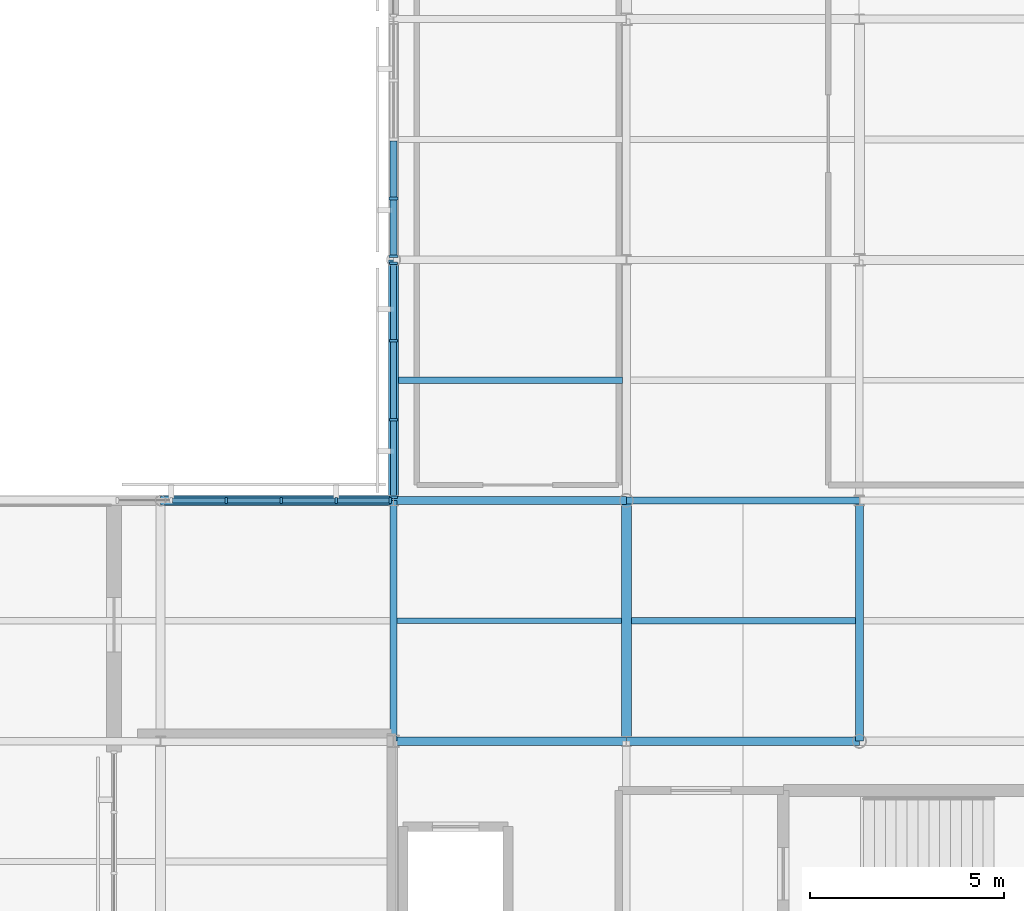
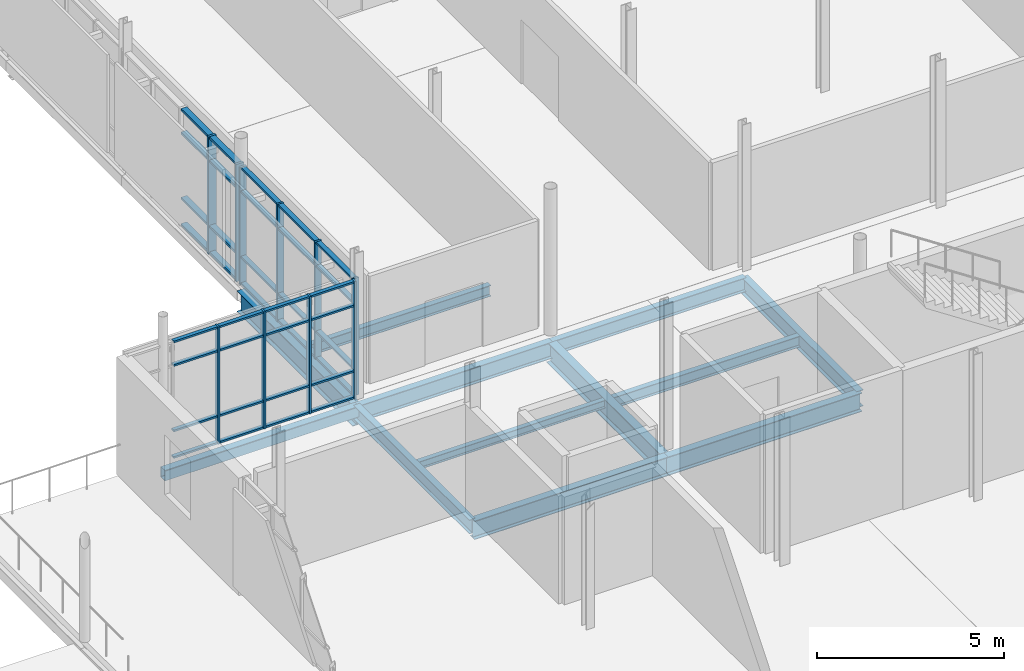
# One storey, part 35 of 84: 46 members, 12 beams, 3 elements without a shape of their own.
"""IFC4 building model written with IfcOpenShell, lengths in metres."""

from ifc_helpers import new_model, si_unit, direction, frame, origin, origin_2d, place, context, subcontext, project, spatial, rectangle, hollow_rectangle, i_section, extrude, material, layer, layer_set, material_profile, profile_set, type_object, element, aggregate, save


model = new_model("IFC4")

# Units and contexts
model_context = context("Model", 3, precision=1e-05, world=origin(), true_north=direction((0.0, 1.0)))
body_context = subcontext(model_context, "Body", "Model", "MODEL_VIEW")
ifc_project = project(units=[si_unit("LENGTHUNIT", "METRE"), si_unit("AREAUNIT", "SQUARE_METRE"), si_unit("VOLUMEUNIT", "CUBIC_METRE"), si_unit("PLANEANGLEUNIT", "RADIAN"), si_unit("MASSUNIT", "GRAM", prefix="KILO")], contexts=[model_context])

# Site, building, storey
site_placement = place(None, origin())
site = spatial("IfcSite", under=ifc_project, at=site_placement, CompositionType="ELEMENT")
building_placement = place(site_placement, origin())
building = spatial("IfcBuilding", under=site, at=building_placement, Name="Mirzam Square Science Centre", CompositionType="ELEMENT")
storey_placement = place(building_placement, frame((0.0, 0.0, 10.800048828125)))
storey = spatial("IfcBuildingStorey", under=building, at=storey_placement, Name="L02", CompositionType="ELEMENT", Elevation=10.800048828125)

# Beams
ifc_material_1 = material(Name="Steel S355", Category="steel")
ifc_material_profile_1 = material_profile(ifc_material_1, i_section(OverallWidth=0.19140625, OverallDepth=0.4599609375, WebThickness=0.010009765625, FlangeThickness=0.01611328125, FilletRadius=0.01025390625, at=origin_2d()), Name="457x191x82UB")
ifc_profile_set_1 = profile_set([ifc_material_profile_1], Name="Steel S355")
beam_type_1 = type_object("IfcBeamType", Name="BM-UB457", PredefinedType="BEAM", material=ifc_profile_set_1)
beam_1_placement = place(storey_placement, frame((120.0, 86.800048828125, -0.47998046875), z_axis=(1.0, 0.0, 0.0), x_axis=(0.0, 1.0, 0.0)))
element("IfcBeam", 1, at=beam_1_placement, inside=storey, type_object=beam_type_1, Name="L02 girder X21-15", PredefinedType="BEAM", context=body_context, shape_type="SweptSolid", body=[
    extrude(i_section(OverallWidth=0.19140625, OverallDepth=0.4599609375, WebThickness=0.010009765625, FlangeThickness=0.01611328125, FilletRadius=0.01025390625, at=origin_2d()), origin(), (0.0, 0.0, 1.0), 6.0),
])
beam_2_placement = place(storey_placement, frame((114.0, 80.60009765625, -0.47998046875), z_axis=(0.0, 1.0, 0.0), x_axis=(-1.0, 0.0, 0.0)))
element("IfcBeam", 2, at=beam_2_placement, inside=storey, type_object=beam_type_1, Name="L02 girder Y20-14", PredefinedType="BEAM", context=body_context, shape_type="SweptSolid", body=[
    extrude(i_section(OverallWidth=0.19140625, OverallDepth=0.4599609375, WebThickness=0.010009765625, FlangeThickness=0.01611328125, FilletRadius=0.01025390625, at=origin_2d()), origin(), (0.0, 0.0, 1.0), 6.199951171875),
])
ifc_material_profile_2 = material_profile(ifc_material_1, i_section(OverallWidth=0.2099609375, OverallDepth=0.53662109375, WebThickness=0.0107421875, FlangeThickness=0.017333984375, FilletRadius=0.0126953125, at=origin_2d()), Name="533x210x101UB")
ifc_profile_set_2 = profile_set([ifc_material_profile_2], Name="Steel S355")
beam_type_2 = type_object("IfcBeamType", Name="BM-UB533", PredefinedType="BEAM", material=ifc_profile_set_2)
beam_3_placement = place(storey_placement, frame((114.0, 86.800048828125, -0.518310546875), z_axis=(1.0, 0.0, 0.0), x_axis=(0.0, 1.0, 0.0)))
element("IfcBeam", 3, at=beam_3_placement, inside=storey, type_object=beam_type_2, Name="L02 girder X20-15", PredefinedType="BEAM", context=body_context, shape_type="SweptSolid", body=[
    extrude(i_section(OverallWidth=0.2099609375, OverallDepth=0.53662109375, WebThickness=0.0107421875, FlangeThickness=0.017333984375, FilletRadius=0.0126953125, at=origin_2d()), origin(), (0.0, 0.0, 1.0), 6.0),
])
beam_4_placement = place(storey_placement, frame((126.0, 80.60009765625, -0.518310546875), z_axis=(0.0, 1.0, 0.0), x_axis=(-1.0, 0.0, 0.0)))
element("IfcBeam", 4, at=beam_4_placement, inside=storey, type_object=beam_type_2, Name="L02 girder Y22-14", PredefinedType="BEAM", context=body_context, shape_type="SweptSolid", body=[
    extrude(i_section(OverallWidth=0.2099609375, OverallDepth=0.53662109375, WebThickness=0.0107421875, FlangeThickness=0.017333984375, FilletRadius=0.0126953125, at=origin_2d()), origin(), (0.0, 0.0, 1.0), 6.199951171875),
])
ifc_material_profile_3 = material_profile(ifc_material_1, i_section(OverallWidth=0.22900390625, OverallDepth=0.6123046875, WebThickness=0.011962890625, FlangeThickness=0.01953125, FilletRadius=0.0126953125, at=origin_2d()), Name="610x229x125UB")
ifc_profile_set_3 = profile_set([ifc_material_profile_3], Name="Steel S355")
beam_type_3 = type_object("IfcBeamType", Name="BM-UB610", PredefinedType="BEAM", material=ifc_profile_set_3)
for number, where, z_axis, x_axis, name in (
    (5, (114.0, 80.60009765625, -0.55615234375), (1.0, 0.0, 0.0), (0.0, 1.0, 0.0), "L02 girder X20-14"),
    (6, (120.0, 80.60009765625, -0.55615234375), (1.0, 0.0, 0.0), (0.0, 1.0, 0.0), "L02 girder X21-14"),
):
    element("IfcBeam", number, at=place(storey_placement, frame(where, z_axis=z_axis, x_axis=x_axis)), inside=storey, type_object=beam_type_3, Name=name, PredefinedType="BEAM", context=body_context, shape_type="SweptSolid", body=[
        extrude(i_section(OverallWidth=0.22900390625, OverallDepth=0.6123046875, WebThickness=0.011962890625, FlangeThickness=0.01953125, FilletRadius=0.0126953125, at=origin_2d()), origin(), (0.0, 0.0, 1.0), 6.0),
    ])
ifc_material_profile_4 = material_profile(ifc_material_1, i_section(OverallWidth=0.25439453125, OverallDepth=0.6875, WebThickness=0.01318359375, FlangeThickness=0.02099609375, FilletRadius=0.01513671875, at=origin_2d()), Name="686x254x152UB")
ifc_profile_set_4 = profile_set([ifc_material_profile_4], Name="Steel S355")
beam_type_4 = type_object("IfcBeamType", Name="BM-UB686", PredefinedType="BEAM", material=ifc_profile_set_4)
for number, where, z_axis, x_axis, name in (
    (7, (114.0, 86.800048828125, -0.59375), (0.0, 1.0, 0.0), (-1.0, 0.0, 0.0), "L02 girder Y20-15"),
    (8, (120.0, 80.60009765625, -0.59375), (0.0, 1.0, 0.0), (-1.0, 0.0, 0.0), "L02 girder Y21-14"),
):
    element("IfcBeam", number, at=place(storey_placement, frame(where, z_axis=z_axis, x_axis=x_axis)), inside=storey, type_object=beam_type_4, Name=name, PredefinedType="BEAM", context=body_context, shape_type="SweptSolid", body=[
        extrude(i_section(OverallWidth=0.25439453125, OverallDepth=0.6875, WebThickness=0.01318359375, FlangeThickness=0.02099609375, FilletRadius=0.01513671875, at=origin_2d()), origin(), (0.0, 0.0, 1.0), 6.199951171875),
    ])

# Curtain wall, members
ifc_material_2 = material(Name="Anodised Aluminium and Low-E Solar Glass", Category="aluminium")
ifc_layer_1 = layer(ifc_material_2, 0.159912109375)
ifc_layer_set_1 = layer_set([ifc_layer_1], Name="CW-COURT-B")
curtain_wall_type_1 = type_object("IfcCurtainWallType", Name="CW-COURT-B", PredefinedType="USERDEFINED", material=ifc_layer_set_1)
curtain_wall_1_placement = place(storey_placement, origin())
curtain_wall_1 = element("IfcCurtainWall", 9, at=curtain_wall_1_placement, inside=storey, type_object=curtain_wall_type_1, Name="L02 unitised curtain wall 109", ObjectType="UNITISED CURTAIN WALL", PredefinedType="USERDEFINED")
ifc_material_3 = material(Name="Anodised Architectural Aluminium 6063-T6", Category="aluminium")
ifc_material_profile_5 = material_profile(ifc_material_3, rectangle(XDim=0.06005859375, YDim=0.159912109375, at=origin_2d()), Name="ALU-MULL-160x60x4")
ifc_profile_set_5 = profile_set([ifc_material_profile_5], Name="Anodised Architectural Aluminium 6063-T6")
member_type_1 = type_object("IfcMemberType", Name="CWM-160", PredefinedType="MULLION", material=ifc_profile_set_5)
member_1_placement = place(storey_placement, frame((113.9150390625, 86.800048828125, 0.0), z_axis=(0.0, 0.0, 1.0), x_axis=(-1.0, 0.0, 0.0)))
member_1 = element("IfcMember", 10, at=member_1_placement, type_object=member_type_1, Name="CW-04 mullion 1", PredefinedType="MULLION", context=body_context, shape_type="SweptSolid", body=[
    extrude(rectangle(XDim=0.06005859375, YDim=0.159912109375, at=origin_2d()), origin(), (0.0, 0.0, 1.0), 3.83984375),
])
member_2_placement = place(storey_placement, frame((112.527099609375, 86.800048828125, 0.0), z_axis=(0.0, 0.0, 1.0), x_axis=(-1.0, 0.0, 0.0)))
member_2 = element("IfcMember", 11, at=member_2_placement, type_object=member_type_1, Name="CW-04 mullion 2", PredefinedType="MULLION", context=body_context, shape_type="SweptSolid", body=[
    extrude(rectangle(XDim=0.06005859375, YDim=0.159912109375, at=origin_2d()), origin(), (0.0, 0.0, 1.0), 3.83984375),
])
member_3_placement = place(storey_placement, frame((111.10888671875, 86.800048828125, 0.0), z_axis=(0.0, 0.0, 1.0), x_axis=(-1.0, 0.0, 0.0)))
member_3 = element("IfcMember", 12, at=member_3_placement, type_object=member_type_1, Name="CW-04 mullion 3", PredefinedType="MULLION", context=body_context, shape_type="SweptSolid", body=[
    extrude(rectangle(XDim=0.06005859375, YDim=0.159912109375, at=origin_2d()), origin(), (0.0, 0.0, 1.0), 3.83984375),
])
member_4_placement = place(storey_placement, frame((109.69091796875, 86.800048828125, 0.0), z_axis=(0.0, 0.0, 1.0), x_axis=(-1.0, 0.0, 0.0)))
member_4 = element("IfcMember", 13, at=member_4_placement, type_object=member_type_1, Name="CW-04 mullion 4", PredefinedType="MULLION", context=body_context, shape_type="SweptSolid", body=[
    extrude(rectangle(XDim=0.06005859375, YDim=0.159912109375, at=origin_2d()), origin(), (0.0, 0.0, 1.0), 3.83984375),
])

ifc_layer_2 = layer(ifc_material_2, 0.199951171875)
ifc_layer_set_2 = layer_set([ifc_layer_2], Name="CW-PARK-B")
curtain_wall_type_2 = type_object("IfcCurtainWallType", Name="CW-PARK-B", PredefinedType="USERDEFINED", material=ifc_layer_set_2)
curtain_wall_2_placement = place(storey_placement, origin())
curtain_wall_2 = element("IfcCurtainWall", 14, at=curtain_wall_2_placement, inside=storey, type_object=curtain_wall_type_2, Name="L02 unitised curtain wall 115", ObjectType="UNITISED CURTAIN WALL", PredefinedType="USERDEFINED")
ifc_material_profile_6 = material_profile(ifc_material_3, rectangle(XDim=0.06494140625, YDim=0.199951171875, at=origin_2d()), Name="ALU-MULL-200x65x5")
ifc_profile_set_6 = profile_set([ifc_material_profile_6], Name="Anodised Architectural Aluminium 6063-T6")
member_type_2 = type_object("IfcMemberType", Name="CWM-200", PredefinedType="MULLION", material=ifc_profile_set_6)
member_5_placement = place(storey_placement, frame((114.0, 92.91259765625, 0.0), z_axis=(0.0, 0.0, 1.0), x_axis=(0.0, -1.0, 0.0)))
member_5 = element("IfcMember", 15, at=member_5_placement, type_object=member_type_2, Name="CW-02 mullion 1", PredefinedType="MULLION", context=body_context, shape_type="SweptSolid", body=[
    extrude(rectangle(XDim=0.06494140625, YDim=0.199951171875, at=origin_2d()), origin(), (0.0, 0.0, 1.0), 3.83984375),
])
member_6_placement = place(storey_placement, frame((114.0, 90.9150390625, 0.0), z_axis=(0.0, 0.0, 1.0), x_axis=(0.0, -1.0, 0.0)))
member_6 = element("IfcMember", 16, at=member_6_placement, type_object=member_type_2, Name="CW-02 mullion 2", PredefinedType="MULLION", context=body_context, shape_type="SweptSolid", body=[
    extrude(rectangle(XDim=0.06494140625, YDim=0.199951171875, at=origin_2d()), origin(), (0.0, 0.0, 1.0), 3.83984375),
])
member_7_placement = place(storey_placement, frame((114.0, 88.885009765625, 0.0), z_axis=(0.0, 0.0, 1.0), x_axis=(0.0, -1.0, 0.0)))
member_7 = element("IfcMember", 17, at=member_7_placement, type_object=member_type_2, Name="CW-02 mullion 3", PredefinedType="MULLION", context=body_context, shape_type="SweptSolid", body=[
    extrude(rectangle(XDim=0.06494140625, YDim=0.199951171875, at=origin_2d()), origin(), (0.0, 0.0, 1.0), 3.83984375),
])
member_8_placement = place(storey_placement, frame((114.0, 86.887451171875, 0.0), z_axis=(0.0, 0.0, 1.0), x_axis=(0.0, -1.0, 0.0)))
member_8 = element("IfcMember", 18, at=member_8_placement, type_object=member_type_2, Name="CW-02 mullion 4", PredefinedType="MULLION", context=body_context, shape_type="SweptSolid", body=[
    extrude(rectangle(XDim=0.06494140625, YDim=0.199951171875, at=origin_2d()), origin(), (0.0, 0.0, 1.0), 3.83984375),
])

ifc_layer_3 = layer(ifc_material_2, 0.159912109375)
ifc_layer_set_3 = layer_set([ifc_layer_3], Name="CW-COURT-A")
curtain_wall_type_3 = type_object("IfcCurtainWallType", Name="CW-COURT-A", PredefinedType="USERDEFINED", material=ifc_layer_set_3)
curtain_wall_3_placement = place(storey_placement, origin())
curtain_wall_3 = element("IfcCurtainWall", 19, at=curtain_wall_3_placement, inside=storey, type_object=curtain_wall_type_3, Name="L02 unitised curtain wall 117", ObjectType="UNITISED CURTAIN WALL", PredefinedType="USERDEFINED")
ifc_material_profile_7 = material_profile(ifc_material_3, rectangle(XDim=0.074951171875, YDim=0.239990234375, at=origin_2d()), Name="ALU-MULL-240x75x5")
ifc_profile_set_7 = profile_set([ifc_material_profile_7], Name="Anodised Architectural Aluminium 6063-T6")
member_type_3 = type_object("IfcMemberType", Name="CWM-240", PredefinedType="MULLION", material=ifc_profile_set_7)
member_9_placement = place(storey_placement, frame((114.0, 94.577392578125, 0.0), z_axis=(0.0, 0.0, 1.0), x_axis=(0.0, -1.0, 0.0)))
member_9 = element("IfcMember", 20, at=member_9_placement, type_object=member_type_3, Name="CW-03 mullion 4", PredefinedType="MULLION", context=body_context, shape_type="SweptSolid", body=[
    extrude(rectangle(XDim=0.074951171875, YDim=0.239990234375, at=origin_2d()), origin(), (0.0, 0.0, 1.0), 3.83984375),
])
member_10_placement = place(storey_placement, frame((114.0, 93.092529296875, 0.0), z_axis=(0.0, 0.0, 1.0), x_axis=(0.0, -1.0, 0.0)))
member_10 = element("IfcMember", 21, at=member_10_placement, type_object=member_type_3, Name="CW-03 mullion 5", PredefinedType="MULLION", context=body_context, shape_type="SweptSolid", body=[
    extrude(rectangle(XDim=0.074951171875, YDim=0.239990234375, at=origin_2d()), origin(), (0.0, 0.0, 1.0), 3.83984375),
])

# Member
ifc_material_profile_8 = material_profile(ifc_material_3, rectangle(XDim=0.1201171875, YDim=0.06005859375, at=origin_2d()), Name="ALU-TRAN-120x60x4")
ifc_profile_set_8 = profile_set([ifc_material_profile_8], Name="Anodised Architectural Aluminium 6063-T6")
member_type_4 = type_object("IfcMemberType", Name="CWT-120", PredefinedType="USERDEFINED", material=ifc_profile_set_8)
member_11_placement = place(storey_placement, frame((113.885009765625, 86.800048828125, 0.030029296875), z_axis=(-1.0, 0.0, 0.0), x_axis=(0.0, -1.0, 0.0)))
member_11 = element("IfcMember", 22, at=member_11_placement, type_object=member_type_4, Name="CW-04 transom 1.1", ObjectType="TRANSOM", PredefinedType="USERDEFINED", context=body_context, shape_type="SweptSolid", body=[
    extrude(rectangle(XDim=0.1201171875, YDim=0.06005859375, at=origin_2d()), origin(), (0.0, 0.0, 1.0), 1.328125),
])

member_12_placement = place(storey_placement, frame((113.885009765625, 86.800048828125, 0.89990234375), z_axis=(-1.0, 0.0, 0.0), x_axis=(0.0, -1.0, 0.0)))
member_12 = element("IfcMember", 23, at=member_12_placement, type_object=member_type_4, Name="CW-04 transom 1.2", ObjectType="TRANSOM", PredefinedType="USERDEFINED", context=body_context, shape_type="SweptSolid", body=[
    extrude(rectangle(XDim=0.1201171875, YDim=0.06005859375, at=origin_2d()), origin(), (0.0, 0.0, 1.0), 1.328125),
])

member_13_placement = place(storey_placement, frame((113.885009765625, 86.800048828125, 3.0400390625), z_axis=(-1.0, 0.0, 0.0), x_axis=(0.0, -1.0, 0.0)))
member_13 = element("IfcMember", 24, at=member_13_placement, type_object=member_type_4, Name="CW-04 transom 1.3", ObjectType="TRANSOM", PredefinedType="USERDEFINED", context=body_context, shape_type="SweptSolid", body=[
    extrude(rectangle(XDim=0.1201171875, YDim=0.06005859375, at=origin_2d()), origin(), (0.0, 0.0, 1.0), 1.328125),
])

member_14_placement = place(storey_placement, frame((113.885009765625, 86.800048828125, 3.81005859375), z_axis=(-1.0, 0.0, 0.0), x_axis=(0.0, -1.0, 0.0)))
member_14 = element("IfcMember", 25, at=member_14_placement, type_object=member_type_4, Name="CW-04 transom 1.4", ObjectType="TRANSOM", PredefinedType="USERDEFINED", context=body_context, shape_type="SweptSolid", body=[
    extrude(rectangle(XDim=0.1201171875, YDim=0.06005859375, at=origin_2d()), origin(), (0.0, 0.0, 1.0), 1.328125),
])

member_15_placement = place(storey_placement, frame((112.4970703125, 86.800048828125, 0.030029296875), z_axis=(-1.0, 0.0, 0.0), x_axis=(0.0, -1.0, 0.0)))
member_15 = element("IfcMember", 26, at=member_15_placement, type_object=member_type_4, Name="CW-04 transom 2.1", ObjectType="TRANSOM", PredefinedType="USERDEFINED", context=body_context, shape_type="SweptSolid", body=[
    extrude(rectangle(XDim=0.1201171875, YDim=0.06005859375, at=origin_2d()), origin(), (0.0, 0.0, 1.0), 1.358154296875),
])

member_16_placement = place(storey_placement, frame((112.4970703125, 86.800048828125, 0.89990234375), z_axis=(-1.0, 0.0, 0.0), x_axis=(0.0, -1.0, 0.0)))
member_16 = element("IfcMember", 27, at=member_16_placement, type_object=member_type_4, Name="CW-04 transom 2.2", ObjectType="TRANSOM", PredefinedType="USERDEFINED", context=body_context, shape_type="SweptSolid", body=[
    extrude(rectangle(XDim=0.1201171875, YDim=0.06005859375, at=origin_2d()), origin(), (0.0, 0.0, 1.0), 1.358154296875),
])

member_17_placement = place(storey_placement, frame((112.4970703125, 86.800048828125, 3.0400390625), z_axis=(-1.0, 0.0, 0.0), x_axis=(0.0, -1.0, 0.0)))
member_17 = element("IfcMember", 28, at=member_17_placement, type_object=member_type_4, Name="CW-04 transom 2.3", ObjectType="TRANSOM", PredefinedType="USERDEFINED", context=body_context, shape_type="SweptSolid", body=[
    extrude(rectangle(XDim=0.1201171875, YDim=0.06005859375, at=origin_2d()), origin(), (0.0, 0.0, 1.0), 1.358154296875),
])

member_18_placement = place(storey_placement, frame((112.4970703125, 86.800048828125, 3.81005859375), z_axis=(-1.0, 0.0, 0.0), x_axis=(0.0, -1.0, 0.0)))
member_18 = element("IfcMember", 29, at=member_18_placement, type_object=member_type_4, Name="CW-04 transom 2.4", ObjectType="TRANSOM", PredefinedType="USERDEFINED", context=body_context, shape_type="SweptSolid", body=[
    extrude(rectangle(XDim=0.1201171875, YDim=0.06005859375, at=origin_2d()), origin(), (0.0, 0.0, 1.0), 1.358154296875),
])

member_19_placement = place(storey_placement, frame((111.0791015625, 86.800048828125, 0.030029296875), z_axis=(-1.0, 0.0, 0.0), x_axis=(0.0, -1.0, 0.0)))
member_19 = element("IfcMember", 30, at=member_19_placement, type_object=member_type_4, Name="CW-04 transom 3.1", ObjectType="TRANSOM", PredefinedType="USERDEFINED", context=body_context, shape_type="SweptSolid", body=[
    extrude(rectangle(XDim=0.1201171875, YDim=0.06005859375, at=origin_2d()), origin(), (0.0, 0.0, 1.0), 1.358154296875),
])

member_20_placement = place(storey_placement, frame((111.0791015625, 86.800048828125, 0.89990234375), z_axis=(-1.0, 0.0, 0.0), x_axis=(0.0, -1.0, 0.0)))
member_20 = element("IfcMember", 31, at=member_20_placement, type_object=member_type_4, Name="CW-04 transom 3.2", ObjectType="TRANSOM", PredefinedType="USERDEFINED", context=body_context, shape_type="SweptSolid", body=[
    extrude(rectangle(XDim=0.1201171875, YDim=0.06005859375, at=origin_2d()), origin(), (0.0, 0.0, 1.0), 1.358154296875),
])

member_21_placement = place(storey_placement, frame((111.0791015625, 86.800048828125, 3.0400390625), z_axis=(-1.0, 0.0, 0.0), x_axis=(0.0, -1.0, 0.0)))
member_21 = element("IfcMember", 32, at=member_21_placement, type_object=member_type_4, Name="CW-04 transom 3.3", ObjectType="TRANSOM", PredefinedType="USERDEFINED", context=body_context, shape_type="SweptSolid", body=[
    extrude(rectangle(XDim=0.1201171875, YDim=0.06005859375, at=origin_2d()), origin(), (0.0, 0.0, 1.0), 1.358154296875),
])

member_22_placement = place(storey_placement, frame((111.0791015625, 86.800048828125, 3.81005859375), z_axis=(-1.0, 0.0, 0.0), x_axis=(0.0, -1.0, 0.0)))
member_22 = element("IfcMember", 33, at=member_22_placement, type_object=member_type_4, Name="CW-04 transom 3.4", ObjectType="TRANSOM", PredefinedType="USERDEFINED", context=body_context, shape_type="SweptSolid", body=[
    extrude(rectangle(XDim=0.1201171875, YDim=0.06005859375, at=origin_2d()), origin(), (0.0, 0.0, 1.0), 1.358154296875),
])

member_23_placement = place(storey_placement, frame((109.660888671875, 86.800048828125, 0.030029296875), z_axis=(-1.0, 0.0, 0.0), x_axis=(0.0, -1.0, 0.0)))
member_23 = element("IfcMember", 34, at=member_23_placement, type_object=member_type_4, Name="CW-04 transom 4.1", ObjectType="TRANSOM", PredefinedType="USERDEFINED", context=body_context, shape_type="SweptSolid", body=[
    extrude(rectangle(XDim=0.1201171875, YDim=0.06005859375, at=origin_2d()), origin(), (0.0, 0.0, 1.0), 1.35791015625),
])

member_24_placement = place(storey_placement, frame((109.660888671875, 86.800048828125, 0.89990234375), z_axis=(-1.0, 0.0, 0.0), x_axis=(0.0, -1.0, 0.0)))
member_24 = element("IfcMember", 35, at=member_24_placement, type_object=member_type_4, Name="CW-04 transom 4.2", ObjectType="TRANSOM", PredefinedType="USERDEFINED", context=body_context, shape_type="SweptSolid", body=[
    extrude(rectangle(XDim=0.1201171875, YDim=0.06005859375, at=origin_2d()), origin(), (0.0, 0.0, 1.0), 1.35791015625),
])

member_25_placement = place(storey_placement, frame((109.660888671875, 86.800048828125, 3.0400390625), z_axis=(-1.0, 0.0, 0.0), x_axis=(0.0, -1.0, 0.0)))
member_25 = element("IfcMember", 36, at=member_25_placement, type_object=member_type_4, Name="CW-04 transom 4.3", ObjectType="TRANSOM", PredefinedType="USERDEFINED", context=body_context, shape_type="SweptSolid", body=[
    extrude(rectangle(XDim=0.1201171875, YDim=0.06005859375, at=origin_2d()), origin(), (0.0, 0.0, 1.0), 1.35791015625),
])

member_26_placement = place(storey_placement, frame((109.660888671875, 86.800048828125, 3.81005859375), z_axis=(-1.0, 0.0, 0.0), x_axis=(0.0, -1.0, 0.0)))
member_26 = element("IfcMember", 37, at=member_26_placement, type_object=member_type_4, Name="CW-04 transom 4.4", ObjectType="TRANSOM", PredefinedType="USERDEFINED", context=body_context, shape_type="SweptSolid", body=[
    extrude(rectangle(XDim=0.1201171875, YDim=0.06005859375, at=origin_2d()), origin(), (0.0, 0.0, 1.0), 1.35791015625),
])

aggregate(curtain_wall_1, [member_1, member_2, member_3, member_4, member_11, member_12, member_13, member_14, member_15, member_16, member_17, member_18, member_19, member_20, member_21, member_22, member_23, member_24, member_25, member_26])

ifc_material_profile_9 = material_profile(ifc_material_3, rectangle(XDim=0.14990234375, YDim=0.06494140625, at=origin_2d()), Name="ALU-TRAN-150x65x4")
ifc_profile_set_9 = profile_set([ifc_material_profile_9], Name="Anodised Architectural Aluminium 6063-T6")
member_type_5 = type_object("IfcMemberType", Name="CWT-150", PredefinedType="USERDEFINED", material=ifc_profile_set_9)
member_27_placement = place(storey_placement, frame((114.0, 92.8798828125, 0.032470703125), z_axis=(0.0, -1.0, 0.0), x_axis=(1.0, 0.0, 0.0)))
member_27 = element("IfcMember", 38, at=member_27_placement, type_object=member_type_5, Name="CW-02 transom 1.1", ObjectType="TRANSOM", PredefinedType="USERDEFINED", context=body_context, shape_type="SweptSolid", body=[
    extrude(rectangle(XDim=0.14990234375, YDim=0.06494140625, at=origin_2d()), origin(), (0.0, 0.0, 1.0), 1.932373046875),
])

member_28_placement = place(storey_placement, frame((114.0, 92.8798828125, 0.89990234375), z_axis=(0.0, -1.0, 0.0), x_axis=(1.0, 0.0, 0.0)))
member_28 = element("IfcMember", 39, at=member_28_placement, type_object=member_type_5, Name="CW-02 transom 1.2", ObjectType="TRANSOM", PredefinedType="USERDEFINED", context=body_context, shape_type="SweptSolid", body=[
    extrude(rectangle(XDim=0.14990234375, YDim=0.06494140625, at=origin_2d()), origin(), (0.0, 0.0, 1.0), 1.932373046875),
])

member_29_placement = place(storey_placement, frame((114.0, 92.8798828125, 3.0400390625), z_axis=(0.0, -1.0, 0.0), x_axis=(1.0, 0.0, 0.0)))
member_29 = element("IfcMember", 40, at=member_29_placement, type_object=member_type_5, Name="CW-02 transom 1.3", ObjectType="TRANSOM", PredefinedType="USERDEFINED", context=body_context, shape_type="SweptSolid", body=[
    extrude(rectangle(XDim=0.14990234375, YDim=0.06494140625, at=origin_2d()), origin(), (0.0, 0.0, 1.0), 1.932373046875),
])

member_30_placement = place(storey_placement, frame((114.0, 92.8798828125, 3.807373046875), z_axis=(0.0, -1.0, 0.0), x_axis=(1.0, 0.0, 0.0)))
member_30 = element("IfcMember", 41, at=member_30_placement, type_object=member_type_5, Name="CW-02 transom 1.4", ObjectType="TRANSOM", PredefinedType="USERDEFINED", context=body_context, shape_type="SweptSolid", body=[
    extrude(rectangle(XDim=0.14990234375, YDim=0.06494140625, at=origin_2d()), origin(), (0.0, 0.0, 1.0), 1.932373046875),
])

member_31_placement = place(storey_placement, frame((114.0, 90.882568359375, 0.032470703125), z_axis=(0.0, -1.0, 0.0), x_axis=(1.0, 0.0, 0.0)))
member_31 = element("IfcMember", 42, at=member_31_placement, type_object=member_type_5, Name="CW-02 transom 2.1", ObjectType="TRANSOM", PredefinedType="USERDEFINED", context=body_context, shape_type="SweptSolid", body=[
    extrude(rectangle(XDim=0.14990234375, YDim=0.06494140625, at=origin_2d()), origin(), (0.0, 0.0, 1.0), 1.965087890625),
])

member_32_placement = place(storey_placement, frame((114.0, 90.882568359375, 0.89990234375), z_axis=(0.0, -1.0, 0.0), x_axis=(1.0, 0.0, 0.0)))
member_32 = element("IfcMember", 43, at=member_32_placement, type_object=member_type_5, Name="CW-02 transom 2.2", ObjectType="TRANSOM", PredefinedType="USERDEFINED", context=body_context, shape_type="SweptSolid", body=[
    extrude(rectangle(XDim=0.14990234375, YDim=0.06494140625, at=origin_2d()), origin(), (0.0, 0.0, 1.0), 1.965087890625),
])

member_33_placement = place(storey_placement, frame((114.0, 90.882568359375, 3.0400390625), z_axis=(0.0, -1.0, 0.0), x_axis=(1.0, 0.0, 0.0)))
member_33 = element("IfcMember", 44, at=member_33_placement, type_object=member_type_5, Name="CW-02 transom 2.3", ObjectType="TRANSOM", PredefinedType="USERDEFINED", context=body_context, shape_type="SweptSolid", body=[
    extrude(rectangle(XDim=0.14990234375, YDim=0.06494140625, at=origin_2d()), origin(), (0.0, 0.0, 1.0), 1.965087890625),
])

member_34_placement = place(storey_placement, frame((114.0, 90.882568359375, 3.807373046875), z_axis=(0.0, -1.0, 0.0), x_axis=(1.0, 0.0, 0.0)))
member_34 = element("IfcMember", 45, at=member_34_placement, type_object=member_type_5, Name="CW-02 transom 2.4", ObjectType="TRANSOM", PredefinedType="USERDEFINED", context=body_context, shape_type="SweptSolid", body=[
    extrude(rectangle(XDim=0.14990234375, YDim=0.06494140625, at=origin_2d()), origin(), (0.0, 0.0, 1.0), 1.965087890625),
])

member_35_placement = place(storey_placement, frame((114.0, 88.8525390625, 0.032470703125), z_axis=(0.0, -1.0, 0.0), x_axis=(1.0, 0.0, 0.0)))
member_35 = element("IfcMember", 46, at=member_35_placement, type_object=member_type_5, Name="CW-02 transom 3.1", ObjectType="TRANSOM", PredefinedType="USERDEFINED", context=body_context, shape_type="SweptSolid", body=[
    extrude(rectangle(XDim=0.14990234375, YDim=0.06494140625, at=origin_2d()), origin(), (0.0, 0.0, 1.0), 1.9326171875),
])

member_36_placement = place(storey_placement, frame((114.0, 88.8525390625, 0.89990234375), z_axis=(0.0, -1.0, 0.0), x_axis=(1.0, 0.0, 0.0)))
member_36 = element("IfcMember", 47, at=member_36_placement, type_object=member_type_5, Name="CW-02 transom 3.2", ObjectType="TRANSOM", PredefinedType="USERDEFINED", context=body_context, shape_type="SweptSolid", body=[
    extrude(rectangle(XDim=0.14990234375, YDim=0.06494140625, at=origin_2d()), origin(), (0.0, 0.0, 1.0), 1.9326171875),
])

member_37_placement = place(storey_placement, frame((114.0, 88.8525390625, 3.0400390625), z_axis=(0.0, -1.0, 0.0), x_axis=(1.0, 0.0, 0.0)))
member_37 = element("IfcMember", 48, at=member_37_placement, type_object=member_type_5, Name="CW-02 transom 3.3", ObjectType="TRANSOM", PredefinedType="USERDEFINED", context=body_context, shape_type="SweptSolid", body=[
    extrude(rectangle(XDim=0.14990234375, YDim=0.06494140625, at=origin_2d()), origin(), (0.0, 0.0, 1.0), 1.9326171875),
])

member_38_placement = place(storey_placement, frame((114.0, 88.8525390625, 3.807373046875), z_axis=(0.0, -1.0, 0.0), x_axis=(1.0, 0.0, 0.0)))
member_38 = element("IfcMember", 49, at=member_38_placement, type_object=member_type_5, Name="CW-02 transom 3.4", ObjectType="TRANSOM", PredefinedType="USERDEFINED", context=body_context, shape_type="SweptSolid", body=[
    extrude(rectangle(XDim=0.14990234375, YDim=0.06494140625, at=origin_2d()), origin(), (0.0, 0.0, 1.0), 1.9326171875),
])

aggregate(curtain_wall_2, [member_5, member_6, member_7, member_8, member_27, member_28, member_29, member_30, member_31, member_32, member_33, member_34, member_35, member_36, member_37, member_38])

ifc_material_profile_10 = material_profile(ifc_material_3, rectangle(XDim=0.179931640625, YDim=0.074951171875, at=origin_2d()), Name="ALU-TRAN-180x75x5")
ifc_profile_set_10 = profile_set([ifc_material_profile_10], Name="Anodised Architectural Aluminium 6063-T6")
member_type_6 = type_object("IfcMemberType", Name="CWT-180", PredefinedType="USERDEFINED", material=ifc_profile_set_10)
member_39_placement = place(storey_placement, frame((114.0, 96.0625, 0.037353515625), z_axis=(0.0, -1.0, 0.0), x_axis=(1.0, 0.0, 0.0)))
member_39 = element("IfcMember", 50, at=member_39_placement, type_object=member_type_6, Name="CW-03 transom 3.1", ObjectType="TRANSOM", PredefinedType="USERDEFINED", context=body_context, shape_type="SweptSolid", body=[
    extrude(rectangle(XDim=0.179931640625, YDim=0.074951171875, at=origin_2d()), origin(), (0.0, 0.0, 1.0), 1.447509765625),
])

member_40_placement = place(storey_placement, frame((114.0, 96.0625, 0.89990234375), z_axis=(0.0, -1.0, 0.0), x_axis=(1.0, 0.0, 0.0)))
member_40 = element("IfcMember", 51, at=member_40_placement, type_object=member_type_6, Name="CW-03 transom 3.2", ObjectType="TRANSOM", PredefinedType="USERDEFINED", context=body_context, shape_type="SweptSolid", body=[
    extrude(rectangle(XDim=0.179931640625, YDim=0.074951171875, at=origin_2d()), origin(), (0.0, 0.0, 1.0), 1.447509765625),
])

member_41_placement = place(storey_placement, frame((114.0, 96.0625, 3.0400390625), z_axis=(0.0, -1.0, 0.0), x_axis=(1.0, 0.0, 0.0)))
member_41 = element("IfcMember", 52, at=member_41_placement, type_object=member_type_6, Name="CW-03 transom 3.3", ObjectType="TRANSOM", PredefinedType="USERDEFINED", context=body_context, shape_type="SweptSolid", body=[
    extrude(rectangle(XDim=0.179931640625, YDim=0.074951171875, at=origin_2d()), origin(), (0.0, 0.0, 1.0), 1.447509765625),
])

member_42_placement = place(storey_placement, frame((114.0, 96.0625, 3.802490234375), z_axis=(0.0, -1.0, 0.0), x_axis=(1.0, 0.0, 0.0)))
member_42 = element("IfcMember", 53, at=member_42_placement, type_object=member_type_6, Name="CW-03 transom 3.4", ObjectType="TRANSOM", PredefinedType="USERDEFINED", context=body_context, shape_type="SweptSolid", body=[
    extrude(rectangle(XDim=0.179931640625, YDim=0.074951171875, at=origin_2d()), origin(), (0.0, 0.0, 1.0), 1.447509765625),
])

member_43_placement = place(storey_placement, frame((114.0, 94.5400390625, 0.037353515625), z_axis=(0.0, -1.0, 0.0), x_axis=(1.0, 0.0, 0.0)))
member_43 = element("IfcMember", 54, at=member_43_placement, type_object=member_type_6, Name="CW-03 transom 4.1", ObjectType="TRANSOM", PredefinedType="USERDEFINED", context=body_context, shape_type="SweptSolid", body=[
    extrude(rectangle(XDim=0.179931640625, YDim=0.074951171875, at=origin_2d()), origin(), (0.0, 0.0, 1.0), 1.41015625),
])

member_44_placement = place(storey_placement, frame((114.0, 94.5400390625, 0.89990234375), z_axis=(0.0, -1.0, 0.0), x_axis=(1.0, 0.0, 0.0)))
member_44 = element("IfcMember", 55, at=member_44_placement, type_object=member_type_6, Name="CW-03 transom 4.2", ObjectType="TRANSOM", PredefinedType="USERDEFINED", context=body_context, shape_type="SweptSolid", body=[
    extrude(rectangle(XDim=0.179931640625, YDim=0.074951171875, at=origin_2d()), origin(), (0.0, 0.0, 1.0), 1.41015625),
])

member_45_placement = place(storey_placement, frame((114.0, 94.5400390625, 3.0400390625), z_axis=(0.0, -1.0, 0.0), x_axis=(1.0, 0.0, 0.0)))
member_45 = element("IfcMember", 56, at=member_45_placement, type_object=member_type_6, Name="CW-03 transom 4.3", ObjectType="TRANSOM", PredefinedType="USERDEFINED", context=body_context, shape_type="SweptSolid", body=[
    extrude(rectangle(XDim=0.179931640625, YDim=0.074951171875, at=origin_2d()), origin(), (0.0, 0.0, 1.0), 1.41015625),
])

member_46_placement = place(storey_placement, frame((114.0, 94.5400390625, 3.802490234375), z_axis=(0.0, -1.0, 0.0), x_axis=(1.0, 0.0, 0.0)))
member_46 = element("IfcMember", 57, at=member_46_placement, type_object=member_type_6, Name="CW-03 transom 4.4", ObjectType="TRANSOM", PredefinedType="USERDEFINED", context=body_context, shape_type="SweptSolid", body=[
    extrude(rectangle(XDim=0.179931640625, YDim=0.074951171875, at=origin_2d()), origin(), (0.0, 0.0, 1.0), 1.41015625),
])

aggregate(curtain_wall_3, [member_9, member_10, member_39, member_40, member_41, member_42, member_43, member_44, member_45, member_46])

# Beams
ifc_material_profile_11 = material_profile(ifc_material_1, i_section(OverallWidth=0.146484375, OverallDepth=0.256103515625, WebThickness=0.00634765625, FlangeThickness=0.010986328125, FilletRadius=0.007568359375, at=origin_2d()), Name="254x146x37UB")
ifc_profile_set_11 = profile_set([ifc_material_profile_11], Name="Steel S355")
beam_type_5 = type_object("IfcBeamType", Name="JS-UB254", PredefinedType="JOIST", material=ifc_profile_set_11)
beam_5_placement = place(storey_placement, frame((114.095703125, 83.699951171875, -0.3779296875), z_axis=(1.0, 0.0, 0.0), x_axis=(0.0, 1.0, 0.0)))
element("IfcBeam", 58, at=beam_5_placement, inside=storey, type_object=beam_type_5, Name="L02 composite joist 20-14", PredefinedType="JOIST", context=body_context, shape_type="SweptSolid", body=[
    extrude(i_section(OverallWidth=0.146484375, OverallDepth=0.256103515625, WebThickness=0.00634765625, FlangeThickness=0.010986328125, FilletRadius=0.007568359375, at=origin_2d()), origin(), (0.0, 0.0, 1.0), 5.777099609375),
])
ifc_material_profile_12 = material_profile(ifc_material_1, i_section(OverallWidth=0.172119140625, OverallDepth=0.35791015625, WebThickness=0.008056640625, FlangeThickness=0.012939453125, FilletRadius=0.01025390625, at=origin_2d()), Name="356x171x57UB")
ifc_profile_set_12 = profile_set([ifc_material_profile_12], Name="Steel S355")
beam_type_6 = type_object("IfcBeamType", Name="JS-UB356", PredefinedType="JOIST", material=ifc_profile_set_12)
for number, where, z_axis, x_axis, name in (
    (59, (114.127197265625, 89.89990234375, -0.428955078125), (1.0, 0.0, 0.0), (0.0, 1.0, 0.0), "L02 composite joist 20-15"),
    (60, (120.127197265625, 83.699951171875, -0.428955078125), (1.0, 0.0, 0.0), (0.0, 1.0, 0.0), "L02 composite joist 21-14"),
):
    element("IfcBeam", number, at=place(storey_placement, frame(where, z_axis=z_axis, x_axis=x_axis)), inside=storey, type_object=beam_type_6, Name=name, PredefinedType="JOIST", context=body_context, shape_type="SweptSolid", body=[
        extrude(i_section(OverallWidth=0.172119140625, OverallDepth=0.35791015625, WebThickness=0.008056640625, FlangeThickness=0.012939453125, FilletRadius=0.01025390625, at=origin_2d()), origin(), (0.0, 0.0, 1.0), 5.767822265625),
    ])
ifc_material_profile_13 = material_profile(ifc_material_1, hollow_rectangle(XDim=0.25, YDim=0.35009765625, WallThickness=0.012451171875, InnerFilletRadius=0.012451171875, OuterFilletRadius=0.02490234375, at=origin_2d()), Name="350x250x12.5RHS")
ifc_profile_set_13 = profile_set([ifc_material_profile_13], Name="Steel S355")
beam_type_7 = type_object("IfcBeamType", Name="SP-RHS350", PredefinedType="SPANDREL", material=ifc_profile_set_13)
beam_6_placement = place(storey_placement, frame((108.0, 86.800048828125, -0.425048828125), z_axis=(1.0, 0.0, 0.0), x_axis=(0.0, 1.0, 0.0)))
element("IfcBeam", 61, at=beam_6_placement, inside=storey, type_object=beam_type_7, Name="L02 girder X19-15", PredefinedType="SPANDREL", context=body_context, shape_type="SweptSolid", body=[
    extrude(hollow_rectangle(XDim=0.25, YDim=0.35009765625, WallThickness=0.012451171875, InnerFilletRadius=0.012451171875, OuterFilletRadius=0.02490234375, at=origin_2d()), origin(), (0.0, 0.0, 1.0), 6.0),
])

save(model, "model.ifc")
